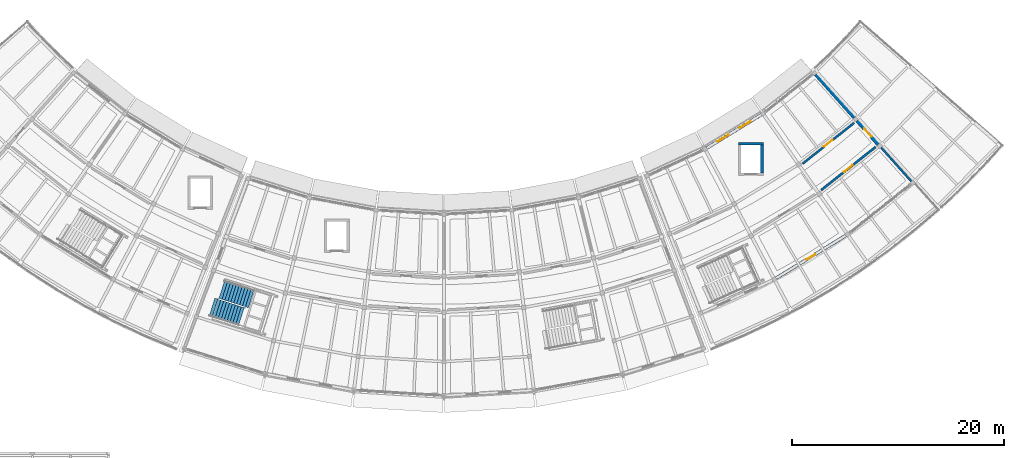
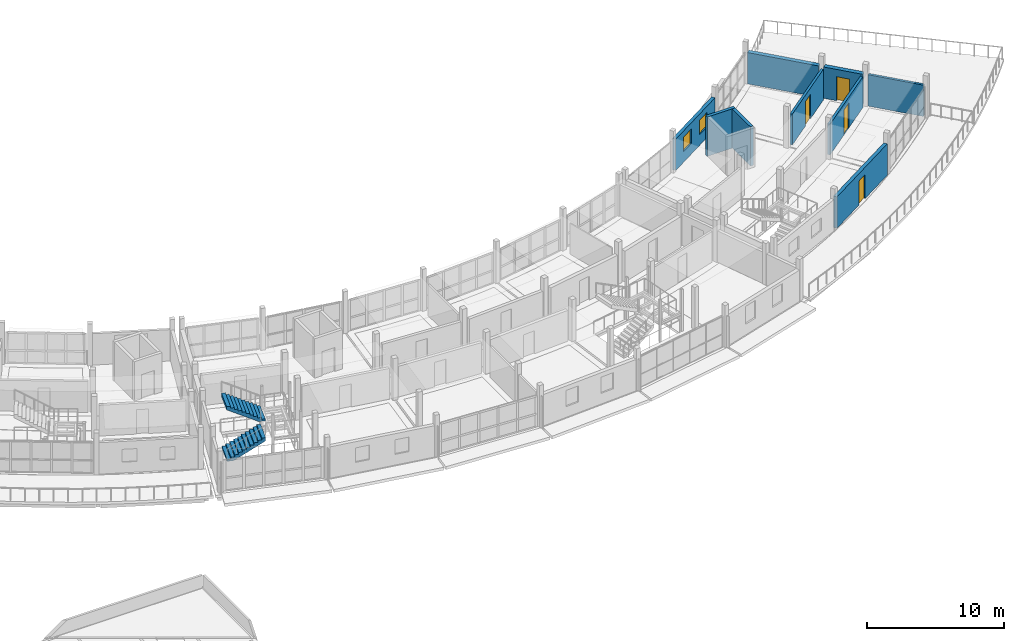
# One storey, part 28 of 36: 9 walls, 4 doors, 2 stair flights, 2 windows, 6 openings, 1 element without a shape of its own.
"""IFC4 building model written with IfcOpenShell, lengths in metres."""

from ifc_helpers import new_model, si_unit, direction, frame, frame_2d, origin, place, context, subcontext, project, spatial, polyline, rectangle, outline, extrude, material, layer, layer_set, type_object, element, fill, aggregate, save


model = new_model("IFC4")

# Units and contexts
model_context = context("Model", 3, precision=1e-05, world=origin(), true_north=direction((0.0, 1.0)))
body_context = subcontext(model_context, "Body", "Model", "MODEL_VIEW")
ifc_project = project(units=[si_unit("LENGTHUNIT", "METRE"), si_unit("AREAUNIT", "SQUARE_METRE"), si_unit("VOLUMEUNIT", "CUBIC_METRE"), si_unit("PLANEANGLEUNIT", "RADIAN"), si_unit("MASSUNIT", "GRAM", prefix="KILO")], contexts=[model_context])

# Site, building, storey
site_placement = place(None, origin())
site = spatial("IfcSite", under=ifc_project, at=site_placement, CompositionType="ELEMENT")
building_placement = place(site_placement, origin())
building = spatial("IfcBuilding", under=site, at=building_placement, Name="Caldaven Crescent School", CompositionType="ELEMENT")
storey_placement = place(building_placement, frame((0.0, 0.0, 11.89990234375)))
storey = spatial("IfcBuildingStorey", under=building, at=storey_placement, Name="L03", CompositionType="ELEMENT", Elevation=11.89990234375)

# Walls
ifc_material_1 = material(Name="Concrete C35/45", Category="concrete")
ifc_layer_1 = layer(ifc_material_1, 0.300048828125)
ifc_layer_set_1 = layer_set([ifc_layer_1], Name="Concrete C35/45")
wall_type_1 = type_object("IfcWallType", Name="WAL-CW1", PredefinedType="SHEAR", material=ifc_layer_set_1)
wall_1_placement = place(storey_placement, frame((115.771484375, 50.213623046875, 0.0), z_axis=(0.0, 0.0, 1.0), x_axis=(1.0, 0.0, 0.0)))
element("IfcWall", 1, at=wall_1_placement, inside=storey, type_object=wall_type_1, Name="CW-LF6-L03-N", PredefinedType="SHEAR", context=body_context, shape_type="SweptSolid", body=[
    extrude(rectangle(XDim=2.349853515625, YDim=0.25, at=frame_2d((1.1748046875, 0.0))), origin(), (0.0, 0.0, 1.0), 3.510009765625),
])
ifc_layer_2 = layer(ifc_material_1, 0.25)
ifc_layer_set_2 = layer_set([ifc_layer_2], Name="Concrete C35/45")
wall_type_2 = type_object("IfcWallType", Name="WAL-CW2", PredefinedType="SHEAR", material=ifc_layer_set_2)
wall_2_placement = place(storey_placement, frame((117.996337890625, 47.438720703125, 0.0), z_axis=(0.0, 0.0, 1.0), x_axis=(0.0, 1.0, 0.0)))
element("IfcWall", 2, at=wall_2_placement, inside=storey, type_object=wall_type_2, Name="CW-LF6-L03-E", PredefinedType="SHEAR", context=body_context, shape_type="SweptSolid", body=[
    extrude(rectangle(XDim=2.64990234375, YDim=0.25, at=frame_2d((1.324951171875, 0.0))), origin(), (0.0, 0.0, 1.0), 3.510009765625),
])
ifc_material_2 = material(Name="Precast concrete C35/45", Category="concrete")
ifc_layer_3 = layer(ifc_material_2, 0.19189453125)
ifc_layer_set_3 = layer_set([ifc_layer_3], Name="Precast concrete C35/45")
wall_type_3 = type_object("IfcWallType", Name="WAL-EW01", PredefinedType="STANDARD", material=ifc_layer_set_3)
wall_3_placement = place(storey_placement, frame((129.22900390625, 49.83154296875, 0.0), z_axis=(0.0, 0.0, 1.0), x_axis=(0.666062362194, -0.74589605822, 0.0)))
element("IfcWall", 3, at=wall_3_placement, inside=storey, type_object=wall_type_3, Name="EW-L03-224", PredefinedType="STANDARD", context=body_context, shape_type="SweptSolid", body=[
    extrude(rectangle(XDim=4.26904296875, YDim=0.19189453125, at=frame_2d((2.134521484375, 0.0))), origin(), (0.0, 0.0, 1.0), 2.800048828125),
])

# Wall, openings, windows
ifc_layer_4 = layer(ifc_material_2, 0.27587890625)
ifc_layer_set_4 = layer_set([ifc_layer_4], Name="Precast concrete C35/45")
wall_type_4 = type_object("IfcWallType", Name="WAL-EW08", PredefinedType="STANDARD", material=ifc_layer_set_4)
wall_4_placement = place(storey_placement, frame((112.77978515625, 49.784912109375, 0.0), z_axis=(0.0, 0.0, 1.0), x_axis=(0.852624496332, 0.522524131744, 0.0)))
wall_4 = element("IfcWall", 4, at=wall_4_placement, inside=storey, type_object=wall_type_4, Name="EW-L03-217", PredefinedType="STANDARD", context=body_context, shape_type="SweptSolid", body=[
    extrude(rectangle(XDim=6.0380859375, YDim=0.27587890625, at=frame_2d((3.01904296875, 0.0))), origin(), (0.0, 0.0, 1.0), 2.800048828125),
])
opening_1_placement = place(wall_4_placement, frame((1.19921875, 0.0, 0.949951171875)))
opening_1 = element("IfcOpeningElement", 5, at=opening_1_placement, cuts=wall_4, Name="Opening W06", PredefinedType="OPENING", context=body_context, shape_type="SweptSolid", body=[
    extrude(rectangle(XDim=1.219970703125, YDim=1.300048828125, at=frame_2d((0.60986328125, 0.64990234375))), frame((0.0, 0.14794921875, 0.0), z_axis=(0.0, -1.0, 0.0), x_axis=(1.0, 0.0, 0.0)), (0.0, 0.0, 1.0), 0.2958984375),
])
opening_2_placement = place(wall_4_placement, frame((3.61865234375, 0.0, 0.949951171875)))
opening_2 = element("IfcOpeningElement", 6, at=opening_2_placement, cuts=wall_4, Name="Opening W06", PredefinedType="OPENING", context=body_context, shape_type="SweptSolid", body=[
    extrude(rectangle(XDim=1.219970703125, YDim=1.300048828125, at=frame_2d((0.60986328125, 0.64990234375))), frame((0.0, 0.14794921875, 0.0), z_axis=(0.0, -1.0, 0.0), x_axis=(1.0, 0.0, 0.0)), (0.0, 0.0, 1.0), 0.2958984375),
])
ifc_material_3 = material(Name="Thermally broken anodised aluminium AA 6063-T6 and low-E double glazing", Category="aluminium")
window_type = type_object("IfcWindowType", Name="WIN-W06", PartitioningType="SINGLE_PANEL", PredefinedType="WINDOW", material=ifc_material_3)
window_1_placement = place(opening_1_placement, origin())
window_1 = element("IfcWindow", 7, at=window_1_placement, inside=storey, type_object=window_type, Name="WIN-L03-101-1", OverallHeight=1.300048828125, OverallWidth=1.219970703125, PartitioningType="SINGLE_PANEL", PredefinedType="WINDOW", context=body_context, shape_type="SweptSolid", body=[
    extrude(rectangle(XDim=1.219970703125, YDim=1.300048828125, at=frame_2d((0.60986328125, 0.64990234375))), frame((0.0, 0.030029296875, 0.0), z_axis=(0.0, -1.0, 0.0), x_axis=(1.0, 0.0, 0.0)), (0.0, 0.0, 1.0), 0.06005859375),
])
fill(opening_1, window_1)
window_2_placement = place(opening_2_placement, origin())
window_2 = element("IfcWindow", 8, at=window_2_placement, inside=storey, type_object=window_type, Name="WIN-L03-101-2", OverallHeight=1.300048828125, OverallWidth=1.219970703125, PartitioningType="SINGLE_PANEL", PredefinedType="WINDOW", context=body_context, shape_type="SweptSolid", body=[
    extrude(rectangle(XDim=1.219970703125, YDim=1.300048828125, at=frame_2d((0.60986328125, 0.64990234375))), frame((0.0, 0.030029296875, 0.0), z_axis=(0.0, -1.0, 0.0), x_axis=(1.0, 0.0, 0.0)), (0.0, 0.0, 1.0), 0.06005859375),
])
fill(opening_2, window_2)

# Wall, opening, door
ifc_layer_5 = layer(ifc_material_2, 0.2880859375)
ifc_layer_set_5 = layer_set([ifc_layer_5], Name="Precast concrete C35/45")
wall_type_5 = type_object("IfcWallType", Name="WAL-EW09", PredefinedType="STANDARD", material=ifc_layer_set_5)
wall_5_placement = place(storey_placement, frame((119.305419921875, 37.511962890625, 0.0), z_axis=(0.0, 0.0, 1.0), x_axis=(0.852637539072, 0.522502848763, 0.0)))
wall_5 = element("IfcWall", 9, at=wall_5_placement, inside=storey, type_object=wall_type_5, Name="EW-L03-218", PredefinedType="STANDARD", context=body_context, shape_type="SweptSolid", body=[
    extrude(rectangle(XDim=7.7353515625, YDim=0.2880859375, at=frame_2d((3.86767578125, 0.0))), origin(), (0.0, 0.0, 1.0), 2.800048828125),
])
opening_3_placement = place(wall_5_placement, frame((3.392578125, 0.0, 0.0)))
opening_3 = element("IfcOpeningElement", 10, at=opening_3_placement, cuts=wall_5, Name="Opening D-L03-E036", PredefinedType="OPENING", context=body_context, shape_type="SweptSolid", body=[
    extrude(rectangle(XDim=0.949951171875, YDim=2.14990234375, at=frame_2d((0.47509765625, 1.074951171875))), frame((0.0, 0.154052734375, 0.0), z_axis=(0.0, -1.0, 0.0), x_axis=(1.0, 0.0, 0.0)), (0.0, 0.0, 1.0), 0.30810546875),
])
ifc_material_4 = material(Name="Thermally broken bronze-anodised aluminium and laminated safety glass", Category="aluminium")
door_type_1 = type_object("IfcDoorType", Name="DOR-EX01", OperationType="NOTDEFINED", PredefinedType="DOOR", material=ifc_material_4)
door_1_placement = place(opening_3_placement, frame((0.949951171875, 0.0, 0.0), z_axis=(0.0, 0.0, 1.0), x_axis=(-1.0, 0.0, 0.0)))
door_1 = element("IfcDoor", 11, at=door_1_placement, inside=storey, type_object=door_type_1, Name="DOR-EXT-L03-036", OperationType="SINGLE_SWING_LEFT", OverallHeight=2.14990234375, OverallWidth=0.949951171875, PredefinedType="DOOR", context=body_context, shape_type="SweptSolid", body=[
    extrude(rectangle(XDim=0.949951171875, YDim=2.14990234375, at=frame_2d((0.47509765625, 1.074951171875))), frame((0.0, 0.02490234375, 0.0), z_axis=(0.0, -1.0, 0.0), x_axis=(1.0, 0.0, 0.0)), (0.0, 0.0, 1.0), 0.050048828125),
])
fill(opening_3, door_1)

# Wall
ifc_layer_6 = layer(ifc_material_2, 0.3359375)
ifc_layer_set_6 = layer_set([ifc_layer_6], Name="Precast concrete C35/45")
wall_type_6 = type_object("IfcWallType", Name="WAL-EW13", PredefinedType="STANDARD", material=ifc_layer_set_6)
wall_6_placement = place(storey_placement, frame((123.057861328125, 56.741943359375, 0.0), z_axis=(0.0, 0.0, 1.0), x_axis=(0.666068996659, -0.745890133793, 0.0)))
element("IfcWall", 12, at=wall_6_placement, inside=storey, type_object=wall_type_6, Name="EW-L03-222", PredefinedType="STANDARD", context=body_context, shape_type="SweptSolid", body=[
    extrude(rectangle(XDim=5.46875, YDim=0.3359375, at=frame_2d((2.734375, 0.0))), origin(), (0.0, 0.0, 1.0), 2.800048828125),
])

# Wall, opening, door
ifc_layer_7 = layer(ifc_material_2, 0.347900390625)
ifc_layer_set_7 = layer_set([ifc_layer_7], Name="Precast concrete C35/45")
wall_type_7 = type_object("IfcWallType", Name="WAL-EW14", PredefinedType="STANDARD", material=ifc_layer_set_7)
wall_7_placement = place(storey_placement, frame((126.96435546875, 52.367431640625, 0.0), z_axis=(0.0, 0.0, 1.0), x_axis=(0.666077136643, -0.745882864826, 0.0)))
wall_7 = element("IfcWall", 13, at=wall_7_placement, inside=storey, type_object=wall_type_7, Name="EW-L03-223", PredefinedType="STANDARD", context=body_context, shape_type="SweptSolid", body=[
    extrude(rectangle(XDim=3.004150390625, YDim=0.347900390625, at=frame_2d((1.501953125, 0.0))), origin(), (0.0, 0.0, 1.0), 2.800048828125),
])
opening_4_placement = place(wall_7_placement, frame((1.001953125, 0.0, 0.0)))
opening_4 = element("IfcOpeningElement", 14, at=opening_4_placement, cuts=wall_7, Name="Opening D-L03-E037", PredefinedType="OPENING", context=body_context, shape_type="SweptSolid", body=[
    extrude(rectangle(XDim=1.0, YDim=2.14990234375, at=frame_2d((0.5, 1.074951171875))), frame((0.0, 0.183837890625, 0.0), z_axis=(0.0, -1.0, 0.0), x_axis=(1.0, 0.0, 0.0)), (0.0, 0.0, 1.0), 0.367919921875),
])
door_type_2 = type_object("IfcDoorType", Name="DOR-EX02", OperationType="NOTDEFINED", PredefinedType="DOOR", material=ifc_material_4)
door_2_placement = place(opening_4_placement, origin())
door_2 = element("IfcDoor", 15, at=door_2_placement, inside=storey, type_object=door_type_2, Name="DOR-EXT-L03-037", OperationType="SINGLE_SWING_RIGHT", OverallHeight=2.14990234375, OverallWidth=1.0, PredefinedType="DOOR", context=body_context, shape_type="SweptSolid", body=[
    extrude(rectangle(XDim=1.0, YDim=2.14990234375, at=frame_2d((0.5, 1.074951171875))), frame((0.0, 0.02490234375, 0.0), z_axis=(0.0, -1.0, 0.0), x_axis=(1.0, 0.0, 0.0)), (0.0, 0.0, 1.0), 0.050048828125),
])
fill(opening_4, door_2)

ifc_material_5 = material(Name="Acoustic timber-stud and fire-rated gypsum board assembly", Category="wood")
ifc_layer_8 = layer(ifc_material_5, 0.199951171875)
ifc_layer_set_8 = layer_set([ifc_layer_8], Name="Acoustic timber-stud and fire-rated gypsum board assembly")
wall_type_8 = type_object("IfcWallType", Name="WAL-IW05", PredefinedType="STANDARD", material=ifc_layer_set_8)
wall_8_placement = place(storey_placement, frame((121.824951171875, 48.319580078125, 0.0), z_axis=(0.0, 0.0, 1.0), x_axis=(0.783880806515, 0.620911331171, 0.0)))
wall_8 = element("IfcWall", 16, at=wall_8_placement, inside=storey, type_object=wall_type_8, Name="IW-L03-0276", PredefinedType="STANDARD", context=body_context, shape_type="SweptSolid", body=[
    extrude(rectangle(XDim=6.18115234375, YDim=0.199951171875, at=frame_2d((3.090576171875, 0.0))), origin(), (0.0, 0.0, 1.0), 2.75),
])
opening_5_placement = place(wall_8_placement, frame((2.58056640625, 0.0, 0.0)))
opening_5 = element("IfcOpeningElement", 17, at=opening_5_placement, cuts=wall_8, Name="Opening D-L03-I198", PredefinedType="OPENING", context=body_context, shape_type="SweptSolid", body=[
    extrude(rectangle(XDim=1.02001953125, YDim=2.179931640625, at=frame_2d((0.510009765625, 1.08984375))), frame((0.0, 0.10986328125, 0.0), z_axis=(0.0, -1.0, 0.0), x_axis=(1.0, 0.0, 0.0)), (0.0, 0.0, 1.0), 0.219970703125),
])
ifc_material_6 = material(Name="Solid-core Pino Radiata acoustic timber leaf in steel frame", Category="steel")
door_type_3 = type_object("IfcDoorType", Name="DOR-ID19", OperationType="NOTDEFINED", PredefinedType="DOOR", material=ifc_material_6)
door_3_placement = place(opening_5_placement, frame((1.02001953125, 0.0, 0.0), z_axis=(0.0, 0.0, 1.0), x_axis=(-1.0, 0.0, 0.0)))
door_3 = element("IfcDoor", 18, at=door_3_placement, inside=storey, type_object=door_type_3, Name="DOR-INT-L03-0198", OperationType="SINGLE_SWING_LEFT", OverallHeight=2.179931640625, OverallWidth=1.02001953125, PredefinedType="DOOR", context=body_context, shape_type="SweptSolid", body=[
    extrude(rectangle(XDim=1.02001953125, YDim=2.179931640625, at=frame_2d((0.510009765625, 1.08984375))), frame((0.0, 0.02490234375, 0.0), z_axis=(0.0, -1.0, 0.0), x_axis=(1.0, 0.0, 0.0)), (0.0, 0.0, 1.0), 0.050048828125),
])
fill(opening_5, door_3)

ifc_layer_9 = layer(ifc_material_5, 0.2099609375)
ifc_layer_set_9 = layer_set([ifc_layer_9], Name="Acoustic timber-stud and fire-rated gypsum board assembly")
wall_type_9 = type_object("IfcWallType", Name="WAL-IW06", PredefinedType="STANDARD", material=ifc_layer_set_9)
wall_9_placement = place(storey_placement, frame((123.568603515625, 45.829345703125, 0.0), z_axis=(0.0, 0.0, 1.0), x_axis=(0.783889859425, 0.620899901989, 0.0)))
wall_9 = element("IfcWall", 19, at=wall_9_placement, inside=storey, type_object=wall_type_9, Name="IW-L03-0277", PredefinedType="STANDARD", context=body_context, shape_type="SweptSolid", body=[
    extrude(rectangle(XDim=6.539794921875, YDim=0.2099609375, at=frame_2d((3.27001953125, 0.0))), origin(), (0.0, 0.0, 1.0), 2.75),
])
opening_6_placement = place(wall_9_placement, frame((2.760009765625, 0.0, 0.0)))
opening_6 = element("IfcOpeningElement", 20, at=opening_6_placement, cuts=wall_9, Name="Opening D-L03-I199", PredefinedType="OPENING", context=body_context, shape_type="SweptSolid", body=[
    extrude(rectangle(XDim=1.02001953125, YDim=2.239990234375, at=frame_2d((0.510009765625, 1.1201171875))), frame((0.0, 0.114990234375, 0.0), z_axis=(0.0, -1.0, 0.0), x_axis=(1.0, 0.0, 0.0)), (0.0, 0.0, 1.0), 0.22998046875),
])
door_type_4 = type_object("IfcDoorType", Name="DOR-ID20", OperationType="NOTDEFINED", PredefinedType="DOOR", material=ifc_material_6)
door_4_placement = place(opening_6_placement, origin())
door_4 = element("IfcDoor", 21, at=door_4_placement, inside=storey, type_object=door_type_4, Name="DOR-INT-L03-0199", OperationType="SINGLE_SWING_RIGHT", OverallHeight=2.239990234375, OverallWidth=1.02001953125, PredefinedType="DOOR", context=body_context, shape_type="SweptSolid", body=[
    extrude(rectangle(XDim=1.02001953125, YDim=2.239990234375, at=frame_2d((0.510009765625, 1.1201171875))), frame((0.0, 0.02490234375, 0.0), z_axis=(0.0, -1.0, 0.0), x_axis=(1.0, 0.0, 0.0)), (0.0, 0.0, 1.0), 0.050048828125),
])
fill(opening_6, door_4)

# Stair, stair flights
ifc_material_7 = material(Name="Precast concrete C30/37", Category="concrete")
stair_type = type_object("IfcStairType", Name="STR-S6", PredefinedType="TWO_STRAIGHT_RUN_STAIR", material=ifc_material_7)
stair_placement = place(storey_placement, origin())
stair = element("IfcStair", 22, at=stair_placement, inside=storey, type_object=stair_type, Name="STAIR-ST2-L03", PredefinedType="TWO_STRAIGHT_RUN_STAIR")
stair_flight_type = type_object("IfcStairFlightType", Name="STF-F6", PredefinedType="STRAIGHT", material=ifc_material_7)
stair_flight_1_placement = place(storey_placement, frame((66.14208984375, 34.789794921875, 0.0), z_axis=(0.0, 0.0, 1.0), x_axis=(0.953716950748, -0.300705799504, 0.0)))
stair_flight_1 = element("IfcStairFlight", 23, at=stair_flight_1_placement, type_object=stair_flight_type, Name="ST2-L03 flight 1", NumberOfRisers=11, NumberOfTreads=10, PredefinedType="STRAIGHT", RiserHeight=0.17, TreadLength=0.29, context=body_context, shape_type="SweptSolid", body=[
    extrude(outline(polyline([(0.0, 0.0), (0.0, 0.169921875), (0.2900390625, 0.169921875), (0.2900390625, 0.340087890625), (0.580078125, 0.340087890625), (0.580078125, 0.510009765625), (0.8701171875, 0.510009765625), (0.8701171875, 0.679931640625), (1.159912109375, 0.679931640625), (1.159912109375, 0.85009765625), (1.449951171875, 0.85009765625), (1.449951171875, 1.02001953125), (1.739990234375, 1.02001953125), (1.739990234375, 1.18994140625), (2.030029296875, 1.18994140625), (2.030029296875, 1.360107421875), (2.320068359375, 1.360107421875), (2.320068359375, 1.530029296875), (2.610107421875, 1.530029296875), (2.610107421875, 1.699951171875), (2.89990234375, 1.699951171875), (2.89990234375, 1.8701171875), (2.89990234375, 1.412353515625), (0.490478515625, 0.0), (0.0, 0.0)])), frame((0.0, 0.8798828125, 0.0), z_axis=(0.0, -1.0, 0.0), x_axis=(1.0, 0.0, 0.0)), (0.0, 0.0, 1.0), 1.760009765625),
])
stair_flight_2_placement = place(storey_placement, frame((69.82958984375, 35.577392578125, 1.8701171875), z_axis=(0.0, 0.0, 1.0), x_axis=(-0.953716950748, 0.300705799504, 0.0)))
stair_flight_2 = element("IfcStairFlight", 24, at=stair_flight_2_placement, type_object=stair_flight_type, Name="ST2-L03 flight 2", NumberOfRisers=11, NumberOfTreads=10, PredefinedType="STRAIGHT", RiserHeight=0.17, TreadLength=0.29, context=body_context, shape_type="SweptSolid", body=[
    extrude(outline(polyline([(0.0, 0.0), (0.0, 0.169921875), (0.2900390625, 0.169921875), (0.2900390625, 0.340087890625), (0.580078125, 0.340087890625), (0.580078125, 0.510009765625), (0.8701171875, 0.510009765625), (0.8701171875, 0.679931640625), (1.159912109375, 0.679931640625), (1.159912109375, 0.85009765625), (1.449951171875, 0.85009765625), (1.449951171875, 1.02001953125), (1.739990234375, 1.02001953125), (1.739990234375, 1.18994140625), (2.030029296875, 1.18994140625), (2.030029296875, 1.360107421875), (2.320068359375, 1.360107421875), (2.320068359375, 1.530029296875), (2.610107421875, 1.530029296875), (2.610107421875, 1.699951171875), (2.89990234375, 1.699951171875), (2.89990234375, 1.8701171875), (2.89990234375, 1.412353515625), (0.490478515625, 0.0), (0.0, 0.0)])), frame((0.0, 0.8798828125, 0.0), z_axis=(0.0, -1.0, 0.0), x_axis=(1.0, 0.0, 0.0)), (0.0, 0.0, 1.0), 1.760009765625),
])
aggregate(stair, [stair_flight_1, stair_flight_2])

save(model, "model.ifc")
